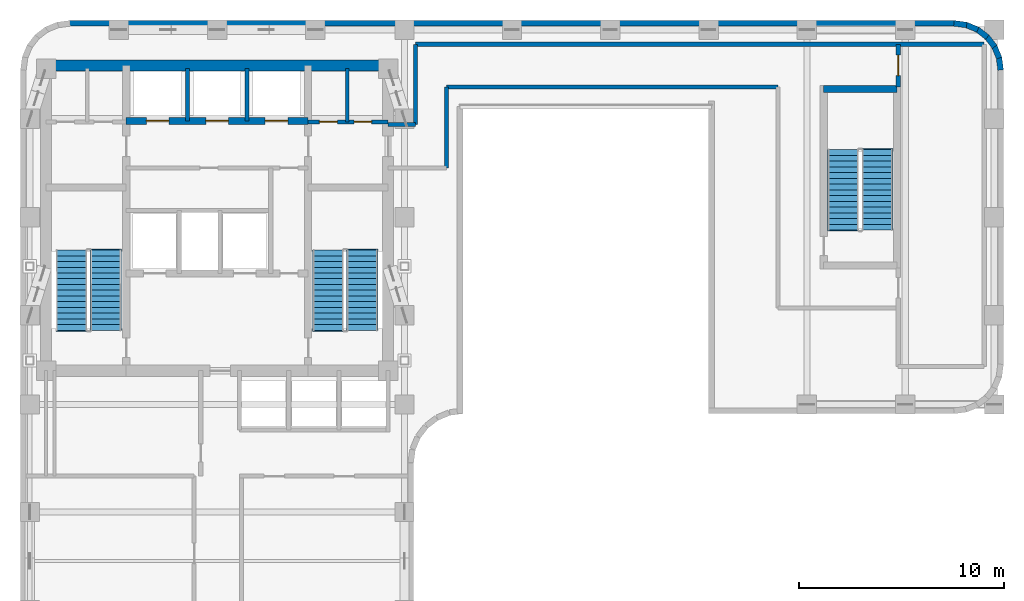
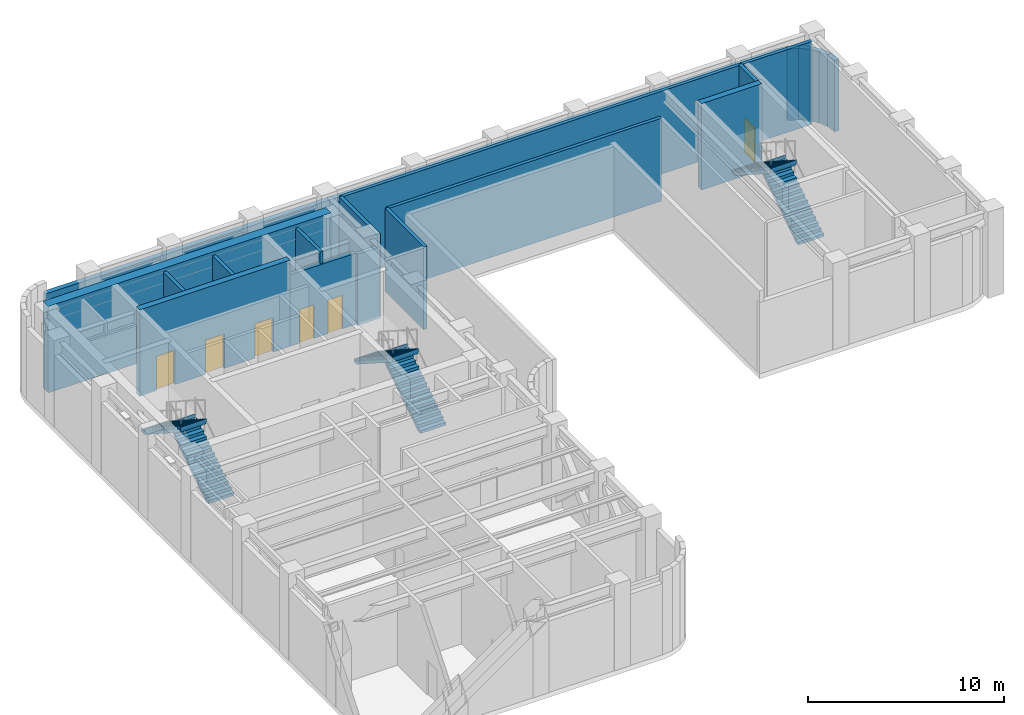
# One storey, part 7 of 9: 20 walls, 6 doors, 6 stair flights, 6 openings, 3 elements without a shape of their own.
"""IFC4 building model written with IfcOpenShell, lengths in metres."""

from ifc_helpers import new_model, si_unit, direction, frame, frame_2d, origin, place, context, subcontext, project, spatial, polyline, rectangle, outline, extrude, material, layer, layer_set, type_object, element, fill, aggregate, save


model = new_model("IFC4")

# Units and contexts
model_context = context("Model", 3, precision=1e-05, world=origin(), true_north=direction((0.0, 1.0)))
body_context = subcontext(model_context, "Body", "Model", "MODEL_VIEW")
ifc_project = project(units=[si_unit("LENGTHUNIT", "METRE"), si_unit("AREAUNIT", "SQUARE_METRE"), si_unit("VOLUMEUNIT", "CUBIC_METRE"), si_unit("PLANEANGLEUNIT", "RADIAN"), si_unit("MASSUNIT", "GRAM", prefix="KILO")], contexts=[model_context])

# Site, building, storey
site_placement = place(None, origin())
site = spatial("IfcSite", under=ifc_project, at=site_placement, CompositionType="ELEMENT")
building_placement = place(site_placement, origin())
building = spatial("IfcBuilding", under=site, at=building_placement, Name="Orvandelia Arch Residences", CompositionType="ELEMENT")
storey_placement = place(building_placement, frame((0.0, 0.0, 198.39990234375)))
storey = spatial("IfcBuildingStorey", under=building, at=storey_placement, Name="L52", CompositionType="ELEMENT", Elevation=198.39990234375)

# Wall, openings, doors
ifc_material_1 = material(Name="Concrete C50/60", Category="concrete")
ifc_layer_1 = layer(ifc_material_1, 0.35009765625, Name="Concrete C50/60", Category="concrete")
ifc_layer_set_1 = layer_set([ifc_layer_1], Name="Concrete C50/60")
wall_type_1 = type_object("IfcWallType", Name="WL-CORE-350", PredefinedType="SHEAR", material=ifc_layer_set_1)
wall_1_placement = place(storey_placement, frame((9.9599609375, 43.10009765625, 0.0), z_axis=(0.0, 0.0, 1.0), x_axis=(1.0, 0.0, 0.0)))
wall_1 = element("IfcWall", 1, at=wall_1_placement, inside=storey, type_object=wall_type_1, Name="Core Shear Wall L52-HZ4", PredefinedType="SHEAR", context=body_context, shape_type="SweptSolid", body=[
    extrude(rectangle(XDim=8.880126953125, YDim=0.35009765625, at=frame_2d((4.43994140625, 0.0))), origin(), (0.0, 0.0, 1.0), 5.400146484375),
])
opening_1_placement = place(wall_1_placement, frame((0.989990234375, 0.0, 0.0)))
opening_1 = element("IfcOpeningElement", 2, at=opening_1_placement, cuts=wall_1, Name="Opening LD", PredefinedType="OPENING", context=body_context, shape_type="SweptSolid", body=[
    extrude(rectangle(XDim=1.10009765625, YDim=2.14990234375, at=frame_2d((0.550048828125, 1.074951171875))), frame((0.0, 0.18505859375, 0.0), z_axis=(0.0, -1.0, 0.0), x_axis=(1.0, 0.0, 0.0)), (0.0, 0.0, 1.0), 0.3701171875),
])
opening_2_placement = place(wall_1_placement, frame((3.889892578125, 0.0, 0.0)))
opening_2 = element("IfcOpeningElement", 3, at=opening_2_placement, cuts=wall_1, Name="Opening LD", PredefinedType="OPENING", context=body_context, shape_type="SweptSolid", body=[
    extrude(rectangle(XDim=1.10009765625, YDim=2.14990234375, at=frame_2d((0.550048828125, 1.074951171875))), frame((0.0, 0.18505859375, 0.0), z_axis=(0.0, -1.0, 0.0), x_axis=(1.0, 0.0, 0.0)), (0.0, 0.0, 1.0), 0.3701171875),
])
opening_3_placement = place(wall_1_placement, frame((6.7900390625, 0.0, 0.0)))
opening_3 = element("IfcOpeningElement", 4, at=opening_3_placement, cuts=wall_1, Name="Opening LD", PredefinedType="OPENING", context=body_context, shape_type="SweptSolid", body=[
    extrude(rectangle(XDim=1.10009765625, YDim=2.14990234375, at=frame_2d((0.550048828125, 1.074951171875))), frame((0.0, 0.18505859375, 0.0), z_axis=(0.0, -1.0, 0.0), x_axis=(1.0, 0.0, 0.0)), (0.0, 0.0, 1.0), 0.3701171875),
])
ifc_material_2 = material(Name="Brushed Stainless Steel Sliding Lift Door", Category="steel")
door_type_1 = type_object("IfcDoorType", Name="DR-LIFT-1100", OperationType="NOTDEFINED", PredefinedType="DOOR", material=ifc_material_2)
door_1_placement = place(opening_1_placement, origin())
door_1 = element("IfcDoor", 5, at=door_1_placement, inside=storey, type_object=door_type_1, Name="Lift Landing Door LD-PH1-L52", OperationType="SLIDING_TO_LEFT", OverallHeight=2.14990234375, OverallWidth=1.10009765625, PredefinedType="DOOR", context=body_context, shape_type="SweptSolid", body=[
    extrude(rectangle(XDim=1.10009765625, YDim=2.14990234375, at=frame_2d((0.550048828125, 1.074951171875))), frame((0.0, 0.02490234375, 0.0), z_axis=(0.0, -1.0, 0.0), x_axis=(1.0, 0.0, 0.0)), (0.0, 0.0, 1.0), 0.050048828125),
])
fill(opening_1, door_1)
door_2_placement = place(opening_2_placement, origin())
door_2 = element("IfcDoor", 6, at=door_2_placement, inside=storey, type_object=door_type_1, Name="Lift Landing Door LD-PH2-L52", OperationType="SLIDING_TO_RIGHT", OverallHeight=2.14990234375, OverallWidth=1.10009765625, PredefinedType="DOOR", context=body_context, shape_type="SweptSolid", body=[
    extrude(rectangle(XDim=1.10009765625, YDim=2.14990234375, at=frame_2d((0.550048828125, 1.074951171875))), frame((0.0, 0.02490234375, 0.0), z_axis=(0.0, -1.0, 0.0), x_axis=(1.0, 0.0, 0.0)), (0.0, 0.0, 1.0), 0.050048828125),
])
fill(opening_2, door_2)
door_3_placement = place(opening_3_placement, origin())
door_3 = element("IfcDoor", 7, at=door_3_placement, inside=storey, type_object=door_type_1, Name="Lift Landing Door LD-PH3-L52", OperationType="SLIDING_TO_LEFT", OverallHeight=2.14990234375, OverallWidth=1.10009765625, PredefinedType="DOOR", context=body_context, shape_type="SweptSolid", body=[
    extrude(rectangle(XDim=1.10009765625, YDim=2.14990234375, at=frame_2d((0.550048828125, 1.074951171875))), frame((0.0, 0.02490234375, 0.0), z_axis=(0.0, -1.0, 0.0), x_axis=(1.0, 0.0, 0.0)), (0.0, 0.0, 1.0), 0.050048828125),
])
fill(opening_3, door_3)

# Walls
wall_2_placement = place(storey_placement, frame((44.02001953125, 44.659912109375, 0.0), z_axis=(0.0, 0.0, 1.0), x_axis=(1.0, 0.0, 0.0)))
element("IfcWall", 8, at=wall_2_placement, inside=storey, type_object=wall_type_1, Name="East Stair Core Shear Wall L52-N", PredefinedType="SHEAR", context=body_context, shape_type="SweptSolid", body=[
    extrude(rectangle(XDim=3.580078125, YDim=0.35009765625, at=frame_2d((1.7900390625, 0.0))), origin(), (0.0, 0.0, 1.0), 5.400146484375),
])
ifc_material_3 = material(Name="Concrete C60/75", Category="concrete")
ifc_layer_2 = layer(ifc_material_3, 0.550048828125, Name="Concrete C60/75", Category="concrete")
ifc_layer_set_2 = layer_set([ifc_layer_2], Name="Concrete C60/75")
wall_type_2 = type_object("IfcWallType", Name="WL-CORE-550", PredefinedType="SHEAR", material=ifc_layer_set_2)
wall_3_placement = place(storey_placement, frame((6.050048828125, 45.800048828125, 0.0), z_axis=(0.0, 0.0, 1.0), x_axis=(1.0, 0.0, 0.0)))
element("IfcWall", 9, at=wall_3_placement, inside=storey, type_object=wall_type_2, Name="Core Shear Wall L52-N", PredefinedType="SHEAR", context=body_context, shape_type="SweptSolid", body=[
    extrude(rectangle(XDim=16.699951171875, YDim=0.550048828125, at=frame_2d((8.35009765625, 0.0))), origin(), (0.0, 0.0, 1.0), 5.400146484375),
])
ifc_material_4 = material(Name="Fire-Rated Corridor Partition")
ifc_layer_3 = layer(ifc_material_4, 0.199951171875, Name="Fire-Rated Corridor Partition")
ifc_layer_set_3 = layer_set([ifc_layer_3], Name="Fire-Rated Corridor Partition")
wall_type_3 = type_object("IfcWallType", Name="WL-CORR-200", PredefinedType="PARTITIONING", material=ifc_layer_set_3)
wall_4_placement = place(storey_placement, frame((22.75, 42.919921875, 0.0), z_axis=(0.0, 0.0, 1.0), x_axis=(1.0, 0.0, 0.0)))
element("IfcWall", 10, at=wall_4_placement, inside=storey, type_object=wall_type_3, Name="Interior Partition Wall WL-L52-ERL-KN", PredefinedType="PARTITIONING", context=body_context, shape_type="SweptSolid", body=[
    extrude(rectangle(XDim=1.330078125, YDim=0.199951171875, at=frame_2d((0.6650390625, 0.0))), origin(), (0.0, 0.0, 1.0), 4.460205078125),
])
wall_5_placement = place(storey_placement, frame((24.080078125, 42.919921875, 0.0), z_axis=(0.0, 0.0, 1.0), x_axis=(0.0, 1.0, 0.0)))
element("IfcWall", 11, at=wall_5_placement, inside=storey, type_object=wall_type_3, Name="Interior Partition Wall WL-L52-ERL-KW", PredefinedType="PARTITIONING", context=body_context, shape_type="SweptSolid", body=[
    extrude(rectangle(XDim=3.920166015625, YDim=0.199951171875, at=frame_2d((1.9599609375, 0.0))), origin(), (0.0, 0.0, 1.0), 5.18017578125),
])
wall_6_placement = place(storey_placement, frame((25.60009765625, 40.800048828125, 0.0), z_axis=(0.0, 0.0, 1.0), x_axis=(0.0, 1.0, 0.0)))
element("IfcWall", 12, at=wall_6_placement, inside=storey, type_object=wall_type_3, Name="Interior Partition Wall WL-L52-ERL-KE", PredefinedType="PARTITIONING", context=body_context, shape_type="SweptSolid", body=[
    extrude(rectangle(XDim=3.9599609375, YDim=0.199951171875, at=frame_2d((1.97998046875, 0.0))), origin(), (0.0, 0.0, 1.0), 5.18017578125),
])
wall_7_placement = place(storey_placement, frame((24.080078125, 46.840087890625, 0.0), z_axis=(0.0, 0.0, 1.0), x_axis=(1.0, 0.0, 0.0)))
element("IfcWall", 13, at=wall_7_placement, inside=storey, type_object=wall_type_3, Name="Interior Partition Wall WL-L52-ERL-NN", PredefinedType="PARTITIONING", context=body_context, shape_type="SweptSolid", body=[
    extrude(rectangle(XDim=27.780029296875, YDim=0.199951171875, at=frame_2d((13.89013671875, 0.0))), origin(), (0.0, 0.0, 1.0), 5.18017578125),
])
wall_8_placement = place(storey_placement, frame((25.60009765625, 44.760009765625, 0.0), z_axis=(0.0, 0.0, 1.0), x_axis=(1.0, 0.0, 0.0)))
element("IfcWall", 14, at=wall_8_placement, inside=storey, type_object=wall_type_3, Name="Interior Partition Wall WL-L52-ERL-NS1", PredefinedType="PARTITIONING", context=body_context, shape_type="SweptSolid", body=[
    extrude(rectangle(XDim=16.179931640625, YDim=0.199951171875, at=frame_2d((8.08984375, 0.0))), origin(), (0.0, 0.0, 1.0), 5.18017578125),
])

# Wall, opening, door
wall_9_placement = place(storey_placement, frame((47.659912109375, 44.760009765625, 0.0), z_axis=(0.0, 0.0, 1.0), x_axis=(0.0, 1.0, 0.0)))
wall_9 = element("IfcWall", 15, at=wall_9_placement, inside=storey, type_object=wall_type_3, Name="Interior Partition Wall WL-L52-EREF-W1", PredefinedType="PARTITIONING", context=body_context, shape_type="SweptSolid", body=[
    extrude(rectangle(XDim=2.080078125, YDim=0.199951171875, at=frame_2d((1.0400390625, 0.0))), origin(), (0.0, 0.0, 1.0), 5.18017578125),
])
opening_4_placement = place(wall_9_placement, frame((0.550048828125, 0.0, 0.0)))
opening_4 = element("IfcOpeningElement", 16, at=opening_4_placement, cuts=wall_9, Name="Opening D6", PredefinedType="OPENING", context=body_context, shape_type="SweptSolid", body=[
    extrude(rectangle(XDim=1.0, YDim=2.14990234375, at=frame_2d((0.5, 1.074951171875))), frame((0.0, 0.10986328125, 0.0), z_axis=(0.0, -1.0, 0.0), x_axis=(1.0, 0.0, 0.0)), (0.0, 0.0, 1.0), 0.219970703125),
])
ifc_material_5 = material(Name="Smokeproof Painted Steel Fire Door", Category="steel")
door_type_2 = type_object("IfcDoorType", Name="DR-FD60-1000", OperationType="NOTDEFINED", PredefinedType="DOOR", material=ifc_material_5)
door_4_placement = place(opening_4_placement, origin())
door_4 = element("IfcDoor", 17, at=door_4_placement, inside=storey, type_object=door_type_2, Name="East Refuge Safety Zone North Fire Door L52", OperationType="SINGLE_SWING_LEFT", OverallHeight=2.14990234375, OverallWidth=1.0, PredefinedType="DOOR", context=body_context, shape_type="SweptSolid", body=[
    extrude(rectangle(XDim=1.0, YDim=2.14990234375, at=frame_2d((0.5, 1.074951171875))), frame((0.0, 0.02490234375, 0.0), z_axis=(0.0, -1.0, 0.0), x_axis=(1.0, 0.0, 0.0)), (0.0, 0.0, 1.0), 0.050048828125),
])
fill(opening_4, door_4)

# Walls
ifc_material_6 = material(Name="Precast concrete C40/50", Category="concrete")
ifc_layer_4 = layer(ifc_material_6, 0.280029296875, Name="Precast concrete C40/50", Category="concrete")
ifc_layer_set_4 = layer_set([ifc_layer_4], Name="Precast concrete C40/50")
wall_type_4 = type_object("IfcWallType", Name="WL-EXT-STONE-280", PredefinedType="STANDARD", material=ifc_layer_set_4)
wall_10_placement = place(storey_placement, frame((7.199951171875, 47.860107421875, 0.0), z_axis=(0.0, 0.0, 1.0), x_axis=(1.0, 0.0, 0.0)))
element("IfcWall", 18, at=wall_10_placement, inside=storey, type_object=wall_type_4, Name="Coral-Limestone Precast Facade Wall L52-007", PredefinedType="STANDARD", context=body_context, shape_type="SweptSolid", body=[
    extrude(rectangle(XDim=43.199951171875, YDim=0.280029296875, at=frame_2d((21.60009765625, 0.0))), origin(), (0.0, 0.0, 1.0), 4.460205078125),
])
wall_11_placement = place(storey_placement, frame((50.381591796875, 47.861083984375, 0.0), z_axis=(0.0, 0.0, 1.0), x_axis=(0.991447664465, -0.130504898859, 0.0)))
element("IfcWall", 19, at=wall_11_placement, inside=storey, type_object=wall_type_4, Name="Coral-Limestone Precast Facade Wall L52-008", PredefinedType="STANDARD", context=body_context, shape_type="SweptSolid", body=[
    extrude(rectangle(XDim=0.626708984375, YDim=0.280029296875, at=frame_2d((0.3134765625, 0.0))), origin(), (0.0, 0.0, 1.0), 4.460205078125),
])
for number, where, z_axis, x_axis, name in (
    (20, (50.967529296875, 47.788818359375, 0.0), (0.0, 0.0, 1.0), (0.924031075431, -0.382317370307, 0.0), "Coral-Limestone Precast Facade Wall L52-009"),
    (21, (51.514892578125, 47.5673828125, 0.0), (0.0, 0.0, 1.0), (0.793405610854, -0.608693302629, 0.0), "Coral-Limestone Precast Facade Wall L52-010"),
    (22, (51.986083984375, 47.2119140625, 0.0), (0.0, 0.0, 1.0), (0.608693302629, -0.793405610854, 0.0), "Coral-Limestone Precast Facade Wall L52-011"),
    (23, (52.34912109375, 46.746337890625, 0.0), (0.0, 0.0, 1.0), (0.382650053678, -0.92389335771, 0.0), "Coral-Limestone Precast Facade Wall L52-012"),
    (24, (52.579345703125, 46.202880859375, 0.0), (0.0, 0.0, 1.0), (0.130555323746, -0.9914410257, 0.0), "Coral-Limestone Precast Facade Wall L52-013"),
):
    element("IfcWall", number, at=place(storey_placement, frame(where, z_axis=z_axis, x_axis=x_axis)), inside=storey, type_object=wall_type_4, Name=name, PredefinedType="STANDARD", context=body_context, shape_type="SweptSolid", body=[
        extrude(rectangle(XDim=0.62646484375, YDim=0.280029296875, at=frame_2d((0.313232421875, 0.0))), origin(), (0.0, 0.0, 1.0), 4.460205078125),
    ])

# Wall, openings, doors
ifc_material_7 = material(Name="Fire-Rated Shaft Enclosure Wall")
ifc_layer_5 = layer(ifc_material_7, 0.199951171875, Name="Fire-Rated Shaft Enclosure Wall")
ifc_layer_set_5 = layer_set([ifc_layer_5], Name="Fire-Rated Shaft Enclosure Wall")
wall_type_5 = type_object("IfcWallType", Name="WL-SHAFT-200", PredefinedType="POLYGONAL", material=ifc_layer_set_5)
wall_12_placement = place(storey_placement, frame((18.840087890625, 43.050048828125, 0.0), z_axis=(0.0, 0.0, 1.0), x_axis=(1.0, 0.0, 0.0)))
wall_12 = element("IfcWall", 25, at=wall_12_placement, inside=storey, type_object=wall_type_5, Name="Interior Partition Wall WL-L52-HLE-N", PredefinedType="POLYGONAL", context=body_context, shape_type="SweptSolid", body=[
    extrude(rectangle(XDim=3.909912109375, YDim=0.199951171875, at=frame_2d((1.955078125, 0.0))), origin(), (0.0, 0.0, 1.0), 4.460205078125),
])
opening_5_placement = place(wall_12_placement, frame((0.550048828125, 0.0, 0.0)))
opening_5 = element("IfcOpeningElement", 26, at=opening_5_placement, cuts=wall_12, Name="Opening D5", PredefinedType="OPENING", context=body_context, shape_type="SweptSolid", body=[
    extrude(rectangle(XDim=0.8798828125, YDim=2.10009765625, at=frame_2d((0.43994140625, 1.050048828125))), frame((0.0, 0.10986328125, 0.0), z_axis=(0.0, -1.0, 0.0), x_axis=(1.0, 0.0, 0.0)), (0.0, 0.0, 1.0), 0.219970703125),
])
opening_6_placement = place(wall_12_placement, frame((2.25, 0.0, 0.0)))
opening_6 = element("IfcOpeningElement", 27, at=opening_6_placement, cuts=wall_12, Name="Opening D4", PredefinedType="OPENING", context=body_context, shape_type="SweptSolid", body=[
    extrude(rectangle(XDim=0.860107421875, YDim=2.10009765625, at=frame_2d((0.43017578125, 1.050048828125))), frame((0.0, 0.10986328125, 0.0), z_axis=(0.0, -1.0, 0.0), x_axis=(1.0, 0.0, 0.0)), (0.0, 0.0, 1.0), 0.219970703125),
])
ifc_material_8 = material(Name="Painted Galvanised Steel Service Door", Category="steel")
door_type_3 = type_object("IfcDoorType", Name="DR-SRV-880", OperationType="NOTDEFINED", PredefinedType="DOOR", material=ifc_material_8)
door_5_placement = place(opening_5_placement, origin())
door_5 = element("IfcDoor", 28, at=door_5_placement, inside=storey, type_object=door_type_3, Name="DR-L52-CSB1", OperationType="SINGLE_SWING_LEFT", OverallHeight=2.10009765625, OverallWidth=0.8798828125, PredefinedType="DOOR", context=body_context, shape_type="SweptSolid", body=[
    extrude(rectangle(XDim=0.8798828125, YDim=2.10009765625, at=frame_2d((0.43994140625, 1.050048828125))), frame((0.0, 0.02490234375, 0.0), z_axis=(0.0, -1.0, 0.0), x_axis=(1.0, 0.0, 0.0)), (0.0, 0.0, 1.0), 0.050048828125),
])
fill(opening_5, door_5)
ifc_material_9 = material(Name="Moisture-Sealed Timber Bathroom Door", Category="wood")
door_type_4 = type_object("IfcDoorType", Name="DR-WET-900", OperationType="NOTDEFINED", PredefinedType="DOOR", material=ifc_material_9)
door_6_placement = place(opening_6_placement, origin())
door_6 = element("IfcDoor", 29, at=door_6_placement, inside=storey, type_object=door_type_4, Name="DR-L52-CSB2", OperationType="SINGLE_SWING_RIGHT", OverallHeight=2.10009765625, OverallWidth=0.860107421875, PredefinedType="DOOR", context=body_context, shape_type="SweptSolid", body=[
    extrude(rectangle(XDim=0.860107421875, YDim=2.10009765625, at=frame_2d((0.43017578125, 1.050048828125))), frame((0.0, 0.02490234375, 0.0), z_axis=(0.0, -1.0, 0.0), x_axis=(1.0, 0.0, 0.0)), (0.0, 0.0, 1.0), 0.050048828125),
])
fill(opening_6, door_6)

# Walls
for number, where, z_axis, x_axis, name in (
    (30, (12.949951171875, 43.10009765625, 0.0), (0.0, 0.0, 1.0), (0.0, 1.0, 0.0), "Interior Partition Wall WL-L52-PHD1"),
    (31, (15.85009765625, 43.10009765625, 0.0), (0.0, 0.0, 1.0), (0.0, 1.0, 0.0), "Interior Partition Wall WL-L52-PHD2"),
):
    element("IfcWall", number, at=place(storey_placement, frame(where, z_axis=z_axis, x_axis=x_axis)), inside=storey, type_object=wall_type_5, Name=name, PredefinedType="POLYGONAL", context=body_context, shape_type="SweptSolid", body=[
        extrude(rectangle(XDim=2.5498046875, YDim=0.199951171875, at=frame_2d((1.27490234375, 0.0))), origin(), (0.0, 0.0, 1.0), 5.18017578125),
    ])
ifc_material_10 = material(Name="Moisture-Resistant Plumbing Wall")
ifc_layer_6 = layer(ifc_material_10, 0.179931640625, Name="Moisture-Resistant Plumbing Wall")
ifc_layer_set_6 = layer_set([ifc_layer_6], Name="Moisture-Resistant Plumbing Wall")
wall_type_6 = type_object("IfcWallType", Name="WL-WET-180", PredefinedType="PLUMBINGWALL", material=ifc_layer_set_6)
wall_13_placement = place(storey_placement, frame((20.75, 43.050048828125, 0.0), z_axis=(0.0, 0.0, 1.0), x_axis=(0.0, 1.0, 0.0)))
element("IfcWall", 32, at=wall_13_placement, inside=storey, type_object=wall_type_6, Name="Interior Partition Wall WL-L52-CSB-1", PredefinedType="PLUMBINGWALL", context=body_context, shape_type="SweptSolid", body=[
    extrude(rectangle(XDim=2.599853515625, YDim=0.179931640625, at=frame_2d((1.2998046875, 0.0))), origin(), (0.0, 0.0, 1.0), 5.18017578125),
])

# Stair, stair flights
ifc_material_11 = material(Name="Concrete C40/50", Category="concrete")
stair_type = type_object("IfcStairType", Name="STAIR-RC-DOGLEG", PredefinedType="HALF_TURN_STAIR", material=ifc_material_11)
stair_1_placement = place(storey_placement, origin())
stair_1 = element("IfcStair", 33, at=stair_1_placement, inside=storey, type_object=stair_type, Name="L52 Protected Exit Stair ST-1", PredefinedType="HALF_TURN_STAIR")
stair_flight_type = type_object("IfcStairFlightType", Name="STFLT-RC-1520", PredefinedType="STRAIGHT", material=ifc_material_11)
stair_flight_1_placement = place(storey_placement, frame((8.9599609375, 32.8701171875, 0.0), z_axis=(0.0, 0.0, 1.0), x_axis=(0.0, 1.0, 0.0)))
stair_flight_1 = element("IfcStairFlight", 34, at=stair_flight_1_placement, type_object=stair_flight_type, Name="ST-1 flight 1", NumberOfRisers=15, NumberOfTreads=14, PredefinedType="STRAIGHT", RiserHeight=0.18, TreadLength=0.28, context=body_context, shape_type="SweptSolid", body=[
    extrude(outline(polyline([(0.0, 0.0), (0.0, 0.179931640625), (0.280029296875, 0.179931640625), (0.280029296875, 0.360107421875), (0.56005859375, 0.360107421875), (0.56005859375, 0.5400390625), (0.840087890625, 0.5400390625), (0.840087890625, 0.719970703125), (1.1201171875, 0.719970703125), (1.1201171875, 0.89990234375), (1.39990234375, 0.89990234375), (1.39990234375, 1.080078125), (1.679931640625, 1.080078125), (1.679931640625, 1.260009765625), (1.9599609375, 1.260009765625), (1.9599609375, 1.43994140625), (2.239990234375, 1.43994140625), (2.239990234375, 1.6201171875), (2.52001953125, 1.6201171875), (2.52001953125, 1.800048828125), (2.800048828125, 1.800048828125), (2.800048828125, 1.97998046875), (3.080078125, 1.97998046875), (3.080078125, 2.159912109375), (3.360107421875, 2.159912109375), (3.360107421875, 2.340087890625), (3.639892578125, 2.340087890625), (3.639892578125, 2.52001953125), (3.919921875, 2.52001953125), (3.919921875, 2.699951171875), (3.97998046875, 2.699951171875), (3.97998046875, 2.52001953125), (3.919921875, 2.341796875), (0.277099609375, 0.0), (0.0, 0.0)])), frame((0.0, 0.760009765625, 0.0), z_axis=(0.0, -1.0, 0.0), x_axis=(1.0, 0.0, 0.0)), (0.0, 0.0, 1.0), 1.52001953125),
])
stair_flight_2_placement = place(storey_placement, frame((7.2900390625, 36.7900390625, 2.7001953125), z_axis=(0.0, 0.0, 1.0), x_axis=(0.0, -1.0, 0.0)))
stair_flight_2 = element("IfcStairFlight", 35, at=stair_flight_2_placement, type_object=stair_flight_type, Name="ST-1 flight 2", NumberOfRisers=15, NumberOfTreads=14, PredefinedType="STRAIGHT", RiserHeight=0.18, TreadLength=0.28, context=body_context, shape_type="SweptSolid", body=[
    extrude(outline(polyline([(0.0, 0.0), (0.0, 0.179931640625), (0.280029296875, 0.179931640625), (0.280029296875, 0.360107421875), (0.56005859375, 0.360107421875), (0.56005859375, 0.5400390625), (0.840087890625, 0.5400390625), (0.840087890625, 0.719970703125), (1.1201171875, 0.719970703125), (1.1201171875, 0.89990234375), (1.39990234375, 0.89990234375), (1.39990234375, 1.080078125), (1.679931640625, 1.080078125), (1.679931640625, 1.260009765625), (1.9599609375, 1.260009765625), (1.9599609375, 1.43994140625), (2.239990234375, 1.43994140625), (2.239990234375, 1.6201171875), (2.52001953125, 1.6201171875), (2.52001953125, 1.800048828125), (2.800048828125, 1.800048828125), (2.800048828125, 1.97998046875), (3.080078125, 1.97998046875), (3.080078125, 2.159912109375), (3.360107421875, 2.159912109375), (3.360107421875, 2.340087890625), (3.639892578125, 2.340087890625), (3.639892578125, 2.52001953125), (3.919921875, 2.52001953125), (3.919921875, 2.699951171875), (3.97998046875, 2.699951171875), (3.97998046875, 2.52001953125), (3.919921875, 2.341796875), (0.277099609375, 0.0), (0.0, 0.0)])), frame((0.0, 0.760009765625, 0.0), z_axis=(0.0, -1.0, 0.0), x_axis=(1.0, 0.0, 0.0)), (0.0, 0.0, 1.0), 1.52001953125),
])
aggregate(stair_1, [stair_flight_1, stair_flight_2])

stair_2_placement = place(storey_placement, origin())
stair_2 = element("IfcStair", 36, at=stair_2_placement, inside=storey, type_object=stair_type, Name="L52 Protected Exit Stair ST-2", PredefinedType="HALF_TURN_STAIR")
stair_flight_3_placement = place(storey_placement, frame((21.489990234375, 32.8701171875, 0.0), z_axis=(0.0, 0.0, 1.0), x_axis=(0.0, 1.0, 0.0)))
stair_flight_3 = element("IfcStairFlight", 37, at=stair_flight_3_placement, type_object=stair_flight_type, Name="ST-2 flight 1", NumberOfRisers=15, NumberOfTreads=14, PredefinedType="STRAIGHT", RiserHeight=0.18, TreadLength=0.28, context=body_context, shape_type="SweptSolid", body=[
    extrude(outline(polyline([(0.0, 0.0), (0.0, 0.179931640625), (0.280029296875, 0.179931640625), (0.280029296875, 0.360107421875), (0.56005859375, 0.360107421875), (0.56005859375, 0.5400390625), (0.840087890625, 0.5400390625), (0.840087890625, 0.719970703125), (1.1201171875, 0.719970703125), (1.1201171875, 0.89990234375), (1.39990234375, 0.89990234375), (1.39990234375, 1.080078125), (1.679931640625, 1.080078125), (1.679931640625, 1.260009765625), (1.9599609375, 1.260009765625), (1.9599609375, 1.43994140625), (2.239990234375, 1.43994140625), (2.239990234375, 1.6201171875), (2.52001953125, 1.6201171875), (2.52001953125, 1.800048828125), (2.800048828125, 1.800048828125), (2.800048828125, 1.97998046875), (3.080078125, 1.97998046875), (3.080078125, 2.159912109375), (3.360107421875, 2.159912109375), (3.360107421875, 2.340087890625), (3.639892578125, 2.340087890625), (3.639892578125, 2.52001953125), (3.919921875, 2.52001953125), (3.919921875, 2.699951171875), (3.97998046875, 2.699951171875), (3.97998046875, 2.52001953125), (3.919921875, 2.341796875), (0.277099609375, 0.0), (0.0, 0.0)])), frame((0.0, 0.760009765625, 0.0), z_axis=(0.0, -1.0, 0.0), x_axis=(1.0, 0.0, 0.0)), (0.0, 0.0, 1.0), 1.52001953125),
])
stair_flight_4_placement = place(storey_placement, frame((19.820068359375, 36.7900390625, 2.7001953125), z_axis=(0.0, 0.0, 1.0), x_axis=(0.0, -1.0, 0.0)))
stair_flight_4 = element("IfcStairFlight", 38, at=stair_flight_4_placement, type_object=stair_flight_type, Name="ST-2 flight 2", NumberOfRisers=15, NumberOfTreads=14, PredefinedType="STRAIGHT", RiserHeight=0.18, TreadLength=0.28, context=body_context, shape_type="SweptSolid", body=[
    extrude(outline(polyline([(0.0, 0.0), (0.0, 0.179931640625), (0.280029296875, 0.179931640625), (0.280029296875, 0.360107421875), (0.56005859375, 0.360107421875), (0.56005859375, 0.5400390625), (0.840087890625, 0.5400390625), (0.840087890625, 0.719970703125), (1.1201171875, 0.719970703125), (1.1201171875, 0.89990234375), (1.39990234375, 0.89990234375), (1.39990234375, 1.080078125), (1.679931640625, 1.080078125), (1.679931640625, 1.260009765625), (1.9599609375, 1.260009765625), (1.9599609375, 1.43994140625), (2.239990234375, 1.43994140625), (2.239990234375, 1.6201171875), (2.52001953125, 1.6201171875), (2.52001953125, 1.800048828125), (2.800048828125, 1.800048828125), (2.800048828125, 1.97998046875), (3.080078125, 1.97998046875), (3.080078125, 2.159912109375), (3.360107421875, 2.159912109375), (3.360107421875, 2.340087890625), (3.639892578125, 2.340087890625), (3.639892578125, 2.52001953125), (3.919921875, 2.52001953125), (3.919921875, 2.699951171875), (3.97998046875, 2.699951171875), (3.97998046875, 2.52001953125), (3.919921875, 2.341796875), (0.277099609375, 0.0), (0.0, 0.0)])), frame((0.0, 0.760009765625, 0.0), z_axis=(0.0, -1.0, 0.0), x_axis=(1.0, 0.0, 0.0)), (0.0, 0.0, 1.0), 1.52001953125),
])
aggregate(stair_2, [stair_flight_3, stair_flight_4])

stair_3_placement = place(storey_placement, origin())
stair_3 = element("IfcStair", 39, at=stair_3_placement, inside=storey, type_object=stair_type, Name="L52 East Wing Exit Stair ST-3", PredefinedType="HALF_TURN_STAIR")
stair_flight_5_placement = place(storey_placement, frame((46.639892578125, 37.77001953125, 0.0), z_axis=(0.0, 0.0, 1.0), x_axis=(0.0, 1.0, 0.0)))
stair_flight_5 = element("IfcStairFlight", 40, at=stair_flight_5_placement, type_object=stair_flight_type, Name="ST-3 flight 1", NumberOfRisers=15, NumberOfTreads=14, PredefinedType="STRAIGHT", RiserHeight=0.18, TreadLength=0.28, context=body_context, shape_type="SweptSolid", body=[
    extrude(outline(polyline([(0.0, 0.0), (0.0, 0.179931640625), (0.280029296875, 0.179931640625), (0.280029296875, 0.360107421875), (0.56005859375, 0.360107421875), (0.56005859375, 0.5400390625), (0.840087890625, 0.5400390625), (0.840087890625, 0.719970703125), (1.1201171875, 0.719970703125), (1.1201171875, 0.89990234375), (1.39990234375, 0.89990234375), (1.39990234375, 1.080078125), (1.679931640625, 1.080078125), (1.679931640625, 1.260009765625), (1.9599609375, 1.260009765625), (1.9599609375, 1.43994140625), (2.239990234375, 1.43994140625), (2.239990234375, 1.6201171875), (2.52001953125, 1.6201171875), (2.52001953125, 1.800048828125), (2.800048828125, 1.800048828125), (2.800048828125, 1.97998046875), (3.080078125, 1.97998046875), (3.080078125, 2.159912109375), (3.360107421875, 2.159912109375), (3.360107421875, 2.340087890625), (3.639892578125, 2.340087890625), (3.639892578125, 2.52001953125), (3.919921875, 2.52001953125), (3.919921875, 2.699951171875), (3.97998046875, 2.699951171875), (3.97998046875, 2.52001953125), (3.919921875, 2.341796875), (0.277099609375, 0.0), (0.0, 0.0)])), frame((0.0, 0.760009765625, 0.0), z_axis=(0.0, -1.0, 0.0), x_axis=(1.0, 0.0, 0.0)), (0.0, 0.0, 1.0), 1.52001953125),
])
stair_flight_6_placement = place(storey_placement, frame((44.969970703125, 41.68994140625, 2.7001953125), z_axis=(0.0, 0.0, 1.0), x_axis=(0.0, -1.0, 0.0)))
stair_flight_6 = element("IfcStairFlight", 41, at=stair_flight_6_placement, type_object=stair_flight_type, Name="ST-3 flight 2", NumberOfRisers=15, NumberOfTreads=14, PredefinedType="STRAIGHT", RiserHeight=0.18, TreadLength=0.28, context=body_context, shape_type="SweptSolid", body=[
    extrude(outline(polyline([(0.0, 0.0), (0.0, 0.179931640625), (0.280029296875, 0.179931640625), (0.280029296875, 0.360107421875), (0.56005859375, 0.360107421875), (0.56005859375, 0.5400390625), (0.840087890625, 0.5400390625), (0.840087890625, 0.719970703125), (1.1201171875, 0.719970703125), (1.1201171875, 0.89990234375), (1.39990234375, 0.89990234375), (1.39990234375, 1.080078125), (1.679931640625, 1.080078125), (1.679931640625, 1.260009765625), (1.9599609375, 1.260009765625), (1.9599609375, 1.43994140625), (2.239990234375, 1.43994140625), (2.239990234375, 1.6201171875), (2.52001953125, 1.6201171875), (2.52001953125, 1.800048828125), (2.800048828125, 1.800048828125), (2.800048828125, 1.97998046875), (3.080078125, 1.97998046875), (3.080078125, 2.159912109375), (3.360107421875, 2.159912109375), (3.360107421875, 2.340087890625), (3.639892578125, 2.340087890625), (3.639892578125, 2.52001953125), (3.919921875, 2.52001953125), (3.919921875, 2.699951171875), (3.97998046875, 2.699951171875), (3.97998046875, 2.52001953125), (3.919921875, 2.341796875), (0.277099609375, 0.0), (0.0, 0.0)])), frame((0.0, 0.760009765625, 0.0), z_axis=(0.0, -1.0, 0.0), x_axis=(1.0, 0.0, 0.0)), (0.0, 0.0, 1.0), 1.52001953125),
])
aggregate(stair_3, [stair_flight_5, stair_flight_6])

save(model, "model.ifc")
